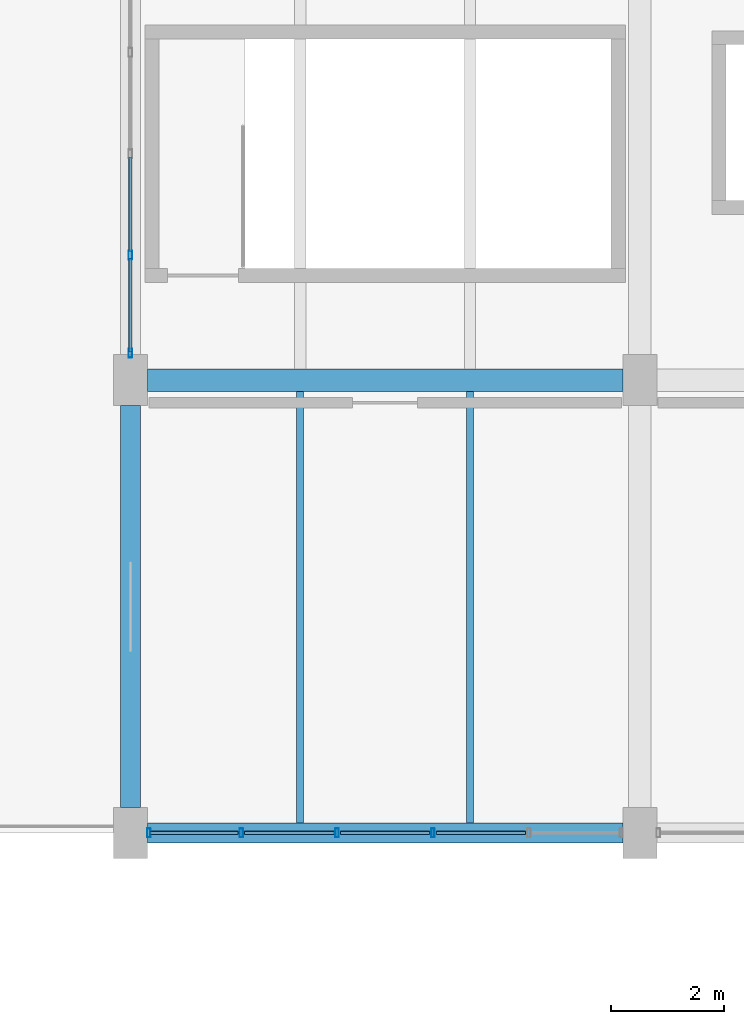
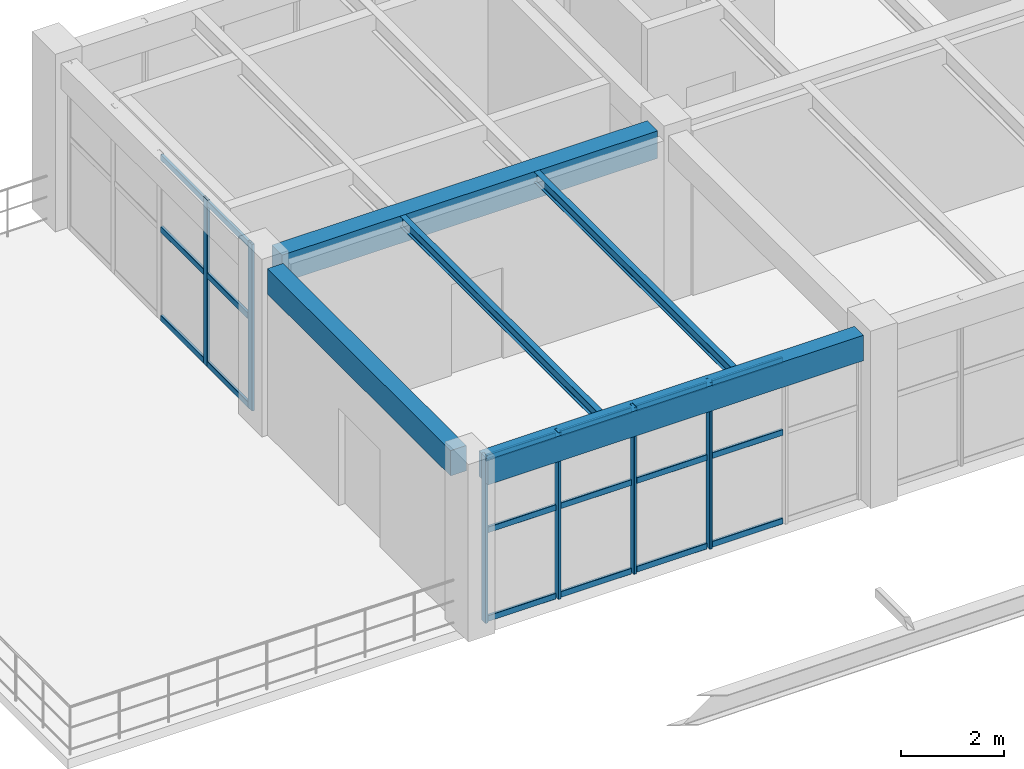
# One storey, part 62 of 148: 24 members, 5 beams, 2 elements without a shape of their own.
"""IFC4 building model written with IfcOpenShell, lengths in metres."""

from ifc_helpers import new_model, si_unit, derived_unit, direction, frame, origin, origin_2d, place, context, subcontext, project, spatial, rectangle, hollow_rectangle, i_section, extrude, material, material_profile, profile_set, type_object, element, aggregate, save


model = new_model("IFC4")

# Units and contexts
model_context = context("Model", 3, precision=1e-05, world=origin(), true_north=direction((0.0, 1.0)))
body_context = subcontext(model_context, "Body", "Model", "MODEL_VIEW")
ifc_project = project(units=[si_unit("LENGTHUNIT", "METRE"), si_unit("AREAUNIT", "SQUARE_METRE"), si_unit("VOLUMEUNIT", "CUBIC_METRE"), si_unit("PLANEANGLEUNIT", "RADIAN"), si_unit("MASSUNIT", "GRAM", prefix="KILO"), derived_unit("THERMALTRANSMITTANCEUNIT", [(si_unit("MASSUNIT", "GRAM", prefix="KILO"), 1), (si_unit("TIMEUNIT", "SECOND"), -3), (si_unit("THERMODYNAMICTEMPERATUREUNIT", "KELVIN"), -1)])], contexts=[model_context])

# Site, building, storey
site_placement = place(None, origin())
site = spatial("IfcSite", under=ifc_project, at=site_placement, CompositionType="ELEMENT")
building_placement = place(site_placement, origin())
building = spatial("IfcBuilding", under=site, at=building_placement, Name="Zhenchuan Archway Interchange", CompositionType="ELEMENT")
storey_placement = place(building_placement, frame((0.0, 0.0, 10.199951171875)))
storey = spatial("IfcBuildingStorey", under=building, at=storey_placement, Name="L02", CompositionType="ELEMENT", Elevation=10.199951171875)

# Beam
ifc_material_1 = material(Name="Concrete C40", Category="concrete")
ifc_material_profile_1 = material_profile(ifc_material_1, rectangle(XDim=0.39990234375, YDim=0.64990234375, at=origin_2d()), Name="RC 400x650")
ifc_profile_set_1 = profile_set([ifc_material_profile_1], Name="Concrete C40")
beam_type_1 = type_object("IfcBeamType", Name="BM_RC_400x650", PredefinedType="BEAM", material=ifc_profile_set_1)
beam_1_placement = place(storey_placement, frame((9.300048828125, 104.0, 3.614990234375), z_axis=(1.0, 0.0, 0.0), x_axis=(0.0, 1.0, 0.0)))
element("IfcBeam", 1, at=beam_1_placement, inside=storey, type_object=beam_type_1, Name="Beam O:2-3 (L02)", PredefinedType="BEAM", context=body_context, shape_type="SweptSolid", body=[
    extrude(rectangle(XDim=0.39990234375, YDim=0.64990234375, at=origin_2d()), origin(), (0.0, 0.0, 1.0), 8.39990234375),
])

# Curtain wall, members
ifc_material_2 = material(Name="Anodised Aluminium", Category="aluminium")
curtain_wall_type_1 = type_object("IfcCurtainWallType", Name="CW_UNIT_2", PredefinedType="NOTDEFINED", material=ifc_material_2)
curtain_wall_1_placement = place(storey_placement, origin())
curtain_wall_1 = element("IfcCurtainWall", 2, at=curtain_wall_1_placement, inside=storey, type_object=curtain_wall_type_1, Name="Unitised curtain wall CW:L02:137", PredefinedType="NOTDEFINED")
ifc_material_profile_2 = material_profile(ifc_material_2, hollow_rectangle(XDim=0.06005859375, YDim=0.159912109375, WallThickness=0.00390625, InnerFilletRadius=0.00390625, OuterFilletRadius=0.008056640625, at=origin_2d()), Name="ALU 160x60x4")
ifc_profile_set_2 = profile_set([ifc_material_profile_2], Name="Anodised Aluminium")
member_type_1 = type_object("IfcMemberType", Name="CW_MUL_150", PredefinedType="MULLION", material=ifc_profile_set_2)
member_1_placement = place(storey_placement, frame((14.346435546875, 96.0, 0.0), z_axis=(0.0, 0.0, 1.0), x_axis=(1.0, 0.0, 0.0)))
member_1 = element("IfcMember", 3, at=member_1_placement, type_object=member_type_1, Name="CW:L02:137 mullion 2", PredefinedType="MULLION", context=body_context, shape_type="SweptSolid", body=[
    extrude(hollow_rectangle(XDim=0.06005859375, YDim=0.159912109375, WallThickness=0.00390625, InnerFilletRadius=0.00390625, OuterFilletRadius=0.008056640625, at=origin_2d()), origin(), (0.0, 0.0, 1.0), 3.93994140625),
])
member_2_placement = place(storey_placement, frame((12.653564453125, 96.0, 0.0), z_axis=(0.0, 0.0, 1.0), x_axis=(1.0, 0.0, 0.0)))
member_2 = element("IfcMember", 4, at=member_2_placement, type_object=member_type_1, Name="CW:L02:137 mullion 3", PredefinedType="MULLION", context=body_context, shape_type="SweptSolid", body=[
    extrude(hollow_rectangle(XDim=0.06005859375, YDim=0.159912109375, WallThickness=0.00390625, InnerFilletRadius=0.00390625, OuterFilletRadius=0.008056640625, at=origin_2d()), origin(), (0.0, 0.0, 1.0), 3.93994140625),
])
member_3_placement = place(storey_placement, frame((10.960693359375, 96.0, 0.0), z_axis=(0.0, 0.0, 1.0), x_axis=(1.0, 0.0, 0.0)))
member_3 = element("IfcMember", 5, at=member_3_placement, type_object=member_type_1, Name="CW:L02:137 mullion 4", PredefinedType="MULLION", context=body_context, shape_type="SweptSolid", body=[
    extrude(hollow_rectangle(XDim=0.06005859375, YDim=0.159912109375, WallThickness=0.00390625, InnerFilletRadius=0.00390625, OuterFilletRadius=0.008056640625, at=origin_2d()), origin(), (0.0, 0.0, 1.0), 3.93994140625),
])
member_4_placement = place(storey_placement, frame((9.327880859375, 96.0, 0.0), z_axis=(0.0, 0.0, 1.0), x_axis=(1.0, 0.0, 0.0)))
member_4 = element("IfcMember", 6, at=member_4_placement, type_object=member_type_1, Name="CW:L02:137 mullion 5", PredefinedType="MULLION", context=body_context, shape_type="SweptSolid", body=[
    extrude(hollow_rectangle(XDim=0.06005859375, YDim=0.159912109375, WallThickness=0.00390625, InnerFilletRadius=0.00390625, OuterFilletRadius=0.008056640625, at=origin_2d()), origin(), (0.0, 0.0, 1.0), 3.93994140625),
])

curtain_wall_type_2 = type_object("IfcCurtainWallType", Name="CW_UNIT_3", PredefinedType="NOTDEFINED", material=ifc_material_2)
curtain_wall_2_placement = place(storey_placement, origin())
curtain_wall_2 = element("IfcCurtainWall", 7, at=curtain_wall_2_placement, inside=storey, type_object=curtain_wall_type_2, Name="Unitised curtain wall CW:L02:138", PredefinedType="NOTDEFINED")
member_5_placement = place(storey_placement, frame((9.0, 104.47802734375, 0.0), z_axis=(0.0, 0.0, 1.0), x_axis=(1.0, 0.0, 0.0)))
member_5 = element("IfcMember", 8, at=member_5_placement, type_object=member_type_1, Name="CW:L02:138 mullion 0", PredefinedType="MULLION", context=body_context, shape_type="SweptSolid", body=[
    extrude(hollow_rectangle(XDim=0.06005859375, YDim=0.159912109375, WallThickness=0.00390625, InnerFilletRadius=0.00390625, OuterFilletRadius=0.008056640625, at=origin_2d()), origin(), (0.0, 0.0, 1.0), 3.93994140625),
])
member_6_placement = place(storey_placement, frame((9.0, 106.208984375, 0.0), z_axis=(0.0, 0.0, 1.0), x_axis=(1.0, 0.0, 0.0)))
member_6 = element("IfcMember", 9, at=member_6_placement, type_object=member_type_1, Name="CW:L02:138 mullion 1", PredefinedType="MULLION", context=body_context, shape_type="SweptSolid", body=[
    extrude(hollow_rectangle(XDim=0.06005859375, YDim=0.159912109375, WallThickness=0.00390625, InnerFilletRadius=0.00390625, OuterFilletRadius=0.008056640625, at=origin_2d()), origin(), (0.0, 0.0, 1.0), 3.93994140625),
])

# Member
ifc_material_profile_3 = material_profile(ifc_material_2, hollow_rectangle(XDim=0.06005859375, YDim=0.139892578125, WallThickness=0.00341796875, InnerFilletRadius=0.00341796875, OuterFilletRadius=0.007080078125, at=origin_2d()), Name="ALU 140x60x3.5")
ifc_profile_set_3 = profile_set([ifc_material_profile_3], Name="Anodised Aluminium")
member_type_2 = type_object("IfcMemberType", Name="CW_TRN_140", PredefinedType="USERDEFINED", material=ifc_profile_set_3)
member_7_placement = place(storey_placement, frame((15.979248046875, 96.0, 0.06005859375), z_axis=(-1.0, 0.0, 0.0), x_axis=(0.0, -1.0, 0.0)))
member_7 = element("IfcMember", 10, at=member_7_placement, type_object=member_type_2, Name="CW:L02:137 transom 1-1", ObjectType="TRANSOM", PredefinedType="USERDEFINED", context=body_context, shape_type="SweptSolid", body=[
    extrude(hollow_rectangle(XDim=0.06005859375, YDim=0.139892578125, WallThickness=0.00341796875, InnerFilletRadius=0.00341796875, OuterFilletRadius=0.007080078125, at=origin_2d()), origin(), (0.0, 0.0, 1.0), 1.57275390625),
])

member_8_placement = place(storey_placement, frame((15.979248046875, 96.0, 2.156005859375), z_axis=(-1.0, 0.0, 0.0), x_axis=(0.0, -1.0, 0.0)))
member_8 = element("IfcMember", 11, at=member_8_placement, type_object=member_type_2, Name="CW:L02:137 transom 1-2", ObjectType="TRANSOM", PredefinedType="USERDEFINED", context=body_context, shape_type="SweptSolid", body=[
    extrude(hollow_rectangle(XDim=0.06005859375, YDim=0.139892578125, WallThickness=0.00341796875, InnerFilletRadius=0.00341796875, OuterFilletRadius=0.007080078125, at=origin_2d()), origin(), (0.0, 0.0, 1.0), 1.57275390625),
])

member_9_placement = place(storey_placement, frame((15.979248046875, 96.0, 3.860107421875), z_axis=(-1.0, 0.0, 0.0), x_axis=(0.0, -1.0, 0.0)))
member_9 = element("IfcMember", 12, at=member_9_placement, type_object=member_type_2, Name="CW:L02:137 transom 1-3", ObjectType="TRANSOM", PredefinedType="USERDEFINED", context=body_context, shape_type="SweptSolid", body=[
    extrude(hollow_rectangle(XDim=0.06005859375, YDim=0.139892578125, WallThickness=0.00341796875, InnerFilletRadius=0.00341796875, OuterFilletRadius=0.007080078125, at=origin_2d()), origin(), (0.0, 0.0, 1.0), 1.57275390625),
])

member_10_placement = place(storey_placement, frame((14.286376953125, 96.0, 0.06005859375), z_axis=(-1.0, 0.0, 0.0), x_axis=(0.0, -1.0, 0.0)))
member_10 = element("IfcMember", 13, at=member_10_placement, type_object=member_type_2, Name="CW:L02:137 transom 2-1", ObjectType="TRANSOM", PredefinedType="USERDEFINED", context=body_context, shape_type="SweptSolid", body=[
    extrude(hollow_rectangle(XDim=0.06005859375, YDim=0.139892578125, WallThickness=0.00341796875, InnerFilletRadius=0.00341796875, OuterFilletRadius=0.007080078125, at=origin_2d()), origin(), (0.0, 0.0, 1.0), 1.57275390625),
])

member_11_placement = place(storey_placement, frame((14.286376953125, 96.0, 2.156005859375), z_axis=(-1.0, 0.0, 0.0), x_axis=(0.0, -1.0, 0.0)))
member_11 = element("IfcMember", 14, at=member_11_placement, type_object=member_type_2, Name="CW:L02:137 transom 2-2", ObjectType="TRANSOM", PredefinedType="USERDEFINED", context=body_context, shape_type="SweptSolid", body=[
    extrude(hollow_rectangle(XDim=0.06005859375, YDim=0.139892578125, WallThickness=0.00341796875, InnerFilletRadius=0.00341796875, OuterFilletRadius=0.007080078125, at=origin_2d()), origin(), (0.0, 0.0, 1.0), 1.57275390625),
])

member_12_placement = place(storey_placement, frame((14.286376953125, 96.0, 3.860107421875), z_axis=(-1.0, 0.0, 0.0), x_axis=(0.0, -1.0, 0.0)))
member_12 = element("IfcMember", 15, at=member_12_placement, type_object=member_type_2, Name="CW:L02:137 transom 2-3", ObjectType="TRANSOM", PredefinedType="USERDEFINED", context=body_context, shape_type="SweptSolid", body=[
    extrude(hollow_rectangle(XDim=0.06005859375, YDim=0.139892578125, WallThickness=0.00341796875, InnerFilletRadius=0.00341796875, OuterFilletRadius=0.007080078125, at=origin_2d()), origin(), (0.0, 0.0, 1.0), 1.57275390625),
])

member_13_placement = place(storey_placement, frame((12.593505859375, 96.0, 0.06005859375), z_axis=(-1.0, 0.0, 0.0), x_axis=(0.0, -1.0, 0.0)))
member_13 = element("IfcMember", 16, at=member_13_placement, type_object=member_type_2, Name="CW:L02:137 transom 3-1", ObjectType="TRANSOM", PredefinedType="USERDEFINED", context=body_context, shape_type="SweptSolid", body=[
    extrude(hollow_rectangle(XDim=0.06005859375, YDim=0.139892578125, WallThickness=0.00341796875, InnerFilletRadius=0.00341796875, OuterFilletRadius=0.007080078125, at=origin_2d()), origin(), (0.0, 0.0, 1.0), 1.57275390625),
])

member_14_placement = place(storey_placement, frame((12.593505859375, 96.0, 2.156005859375), z_axis=(-1.0, 0.0, 0.0), x_axis=(0.0, -1.0, 0.0)))
member_14 = element("IfcMember", 17, at=member_14_placement, type_object=member_type_2, Name="CW:L02:137 transom 3-2", ObjectType="TRANSOM", PredefinedType="USERDEFINED", context=body_context, shape_type="SweptSolid", body=[
    extrude(hollow_rectangle(XDim=0.06005859375, YDim=0.139892578125, WallThickness=0.00341796875, InnerFilletRadius=0.00341796875, OuterFilletRadius=0.007080078125, at=origin_2d()), origin(), (0.0, 0.0, 1.0), 1.57275390625),
])

member_15_placement = place(storey_placement, frame((12.593505859375, 96.0, 3.860107421875), z_axis=(-1.0, 0.0, 0.0), x_axis=(0.0, -1.0, 0.0)))
member_15 = element("IfcMember", 18, at=member_15_placement, type_object=member_type_2, Name="CW:L02:137 transom 3-3", ObjectType="TRANSOM", PredefinedType="USERDEFINED", context=body_context, shape_type="SweptSolid", body=[
    extrude(hollow_rectangle(XDim=0.06005859375, YDim=0.139892578125, WallThickness=0.00341796875, InnerFilletRadius=0.00341796875, OuterFilletRadius=0.007080078125, at=origin_2d()), origin(), (0.0, 0.0, 1.0), 1.57275390625),
])

member_16_placement = place(storey_placement, frame((10.90087890625, 96.0, 0.06005859375), z_axis=(-1.0, 0.0, 0.0), x_axis=(0.0, -1.0, 0.0)))
member_16 = element("IfcMember", 19, at=member_16_placement, type_object=member_type_2, Name="CW:L02:137 transom 4-1", ObjectType="TRANSOM", PredefinedType="USERDEFINED", context=body_context, shape_type="SweptSolid", body=[
    extrude(hollow_rectangle(XDim=0.06005859375, YDim=0.139892578125, WallThickness=0.00341796875, InnerFilletRadius=0.00341796875, OuterFilletRadius=0.007080078125, at=origin_2d()), origin(), (0.0, 0.0, 1.0), 1.552978515625),
])

member_17_placement = place(storey_placement, frame((10.90087890625, 96.0, 2.156005859375), z_axis=(-1.0, 0.0, 0.0), x_axis=(0.0, -1.0, 0.0)))
member_17 = element("IfcMember", 20, at=member_17_placement, type_object=member_type_2, Name="CW:L02:137 transom 4-2", ObjectType="TRANSOM", PredefinedType="USERDEFINED", context=body_context, shape_type="SweptSolid", body=[
    extrude(hollow_rectangle(XDim=0.06005859375, YDim=0.139892578125, WallThickness=0.00341796875, InnerFilletRadius=0.00341796875, OuterFilletRadius=0.007080078125, at=origin_2d()), origin(), (0.0, 0.0, 1.0), 1.552978515625),
])

member_18_placement = place(storey_placement, frame((10.90087890625, 96.0, 3.860107421875), z_axis=(-1.0, 0.0, 0.0), x_axis=(0.0, -1.0, 0.0)))
member_18 = element("IfcMember", 21, at=member_18_placement, type_object=member_type_2, Name="CW:L02:137 transom 4-3", ObjectType="TRANSOM", PredefinedType="USERDEFINED", context=body_context, shape_type="SweptSolid", body=[
    extrude(hollow_rectangle(XDim=0.06005859375, YDim=0.139892578125, WallThickness=0.00341796875, InnerFilletRadius=0.00341796875, OuterFilletRadius=0.007080078125, at=origin_2d()), origin(), (0.0, 0.0, 1.0), 1.552978515625),
])

aggregate(curtain_wall_1, [member_1, member_2, member_3, member_4, member_7, member_8, member_9, member_10, member_11, member_12, member_13, member_14, member_15, member_16, member_17, member_18])

member_19_placement = place(storey_placement, frame((9.0, 104.498046875, 0.06005859375), z_axis=(0.0, 1.0, 0.0), x_axis=(-1.0, 0.0, 0.0)))
member_19 = element("IfcMember", 22, at=member_19_placement, type_object=member_type_2, Name="CW:L02:138 transom 0-1", ObjectType="TRANSOM", PredefinedType="USERDEFINED", context=body_context, shape_type="SweptSolid", body=[
    extrude(hollow_rectangle(XDim=0.06005859375, YDim=0.139892578125, WallThickness=0.00341796875, InnerFilletRadius=0.00341796875, OuterFilletRadius=0.007080078125, at=origin_2d()), origin(), (0.0, 0.0, 1.0), 1.65087890625),
])

member_20_placement = place(storey_placement, frame((9.0, 104.498046875, 2.156005859375), z_axis=(0.0, 1.0, 0.0), x_axis=(-1.0, 0.0, 0.0)))
member_20 = element("IfcMember", 23, at=member_20_placement, type_object=member_type_2, Name="CW:L02:138 transom 0-2", ObjectType="TRANSOM", PredefinedType="USERDEFINED", context=body_context, shape_type="SweptSolid", body=[
    extrude(hollow_rectangle(XDim=0.06005859375, YDim=0.139892578125, WallThickness=0.00341796875, InnerFilletRadius=0.00341796875, OuterFilletRadius=0.007080078125, at=origin_2d()), origin(), (0.0, 0.0, 1.0), 1.65087890625),
])

member_21_placement = place(storey_placement, frame((9.0, 104.498046875, 3.860107421875), z_axis=(0.0, 1.0, 0.0), x_axis=(-1.0, 0.0, 0.0)))
member_21 = element("IfcMember", 24, at=member_21_placement, type_object=member_type_2, Name="CW:L02:138 transom 0-3", ObjectType="TRANSOM", PredefinedType="USERDEFINED", context=body_context, shape_type="SweptSolid", body=[
    extrude(hollow_rectangle(XDim=0.06005859375, YDim=0.139892578125, WallThickness=0.00341796875, InnerFilletRadius=0.00341796875, OuterFilletRadius=0.007080078125, at=origin_2d()), origin(), (0.0, 0.0, 1.0), 1.65087890625),
])

member_22_placement = place(storey_placement, frame((9.0, 106.26904296875, 0.06005859375), z_axis=(0.0, 1.0, 0.0), x_axis=(-1.0, 0.0, 0.0)))
member_22 = element("IfcMember", 25, at=member_22_placement, type_object=member_type_2, Name="CW:L02:138 transom 1-1", ObjectType="TRANSOM", PredefinedType="USERDEFINED", context=body_context, shape_type="SweptSolid", body=[
    extrude(hollow_rectangle(XDim=0.06005859375, YDim=0.139892578125, WallThickness=0.00341796875, InnerFilletRadius=0.00341796875, OuterFilletRadius=0.007080078125, at=origin_2d()), origin(), (0.0, 0.0, 1.0), 1.6708984375),
])

member_23_placement = place(storey_placement, frame((9.0, 106.26904296875, 2.156005859375), z_axis=(0.0, 1.0, 0.0), x_axis=(-1.0, 0.0, 0.0)))
member_23 = element("IfcMember", 26, at=member_23_placement, type_object=member_type_2, Name="CW:L02:138 transom 1-2", ObjectType="TRANSOM", PredefinedType="USERDEFINED", context=body_context, shape_type="SweptSolid", body=[
    extrude(hollow_rectangle(XDim=0.06005859375, YDim=0.139892578125, WallThickness=0.00341796875, InnerFilletRadius=0.00341796875, OuterFilletRadius=0.007080078125, at=origin_2d()), origin(), (0.0, 0.0, 1.0), 1.6708984375),
])

member_24_placement = place(storey_placement, frame((9.0, 106.26904296875, 3.860107421875), z_axis=(0.0, 1.0, 0.0), x_axis=(-1.0, 0.0, 0.0)))
member_24 = element("IfcMember", 27, at=member_24_placement, type_object=member_type_2, Name="CW:L02:138 transom 1-3", ObjectType="TRANSOM", PredefinedType="USERDEFINED", context=body_context, shape_type="SweptSolid", body=[
    extrude(hollow_rectangle(XDim=0.06005859375, YDim=0.139892578125, WallThickness=0.00341796875, InnerFilletRadius=0.00341796875, OuterFilletRadius=0.007080078125, at=origin_2d()), origin(), (0.0, 0.0, 1.0), 1.6708984375),
])

aggregate(curtain_wall_2, [member_5, member_6, member_19, member_20, member_21, member_22, member_23, member_24])

# Beams
ifc_material_3 = material(Name="Steel Q355", Category="steel")
ifc_material_profile_4 = material_profile(ifc_material_3, i_section(OverallWidth=0.125, OverallDepth=0.25, WebThickness=0.006103515625, FlangeThickness=0.009033203125, FilletRadius=0.011962890625, at=origin_2d()), Name="HN 250x125")
ifc_profile_set_4 = profile_set([ifc_material_profile_4], Name="Steel Q355")
beam_type_2 = type_object("IfcBeamType", Name="JST_STL_HN250", PredefinedType="JOIST", material=ifc_profile_set_4)
for number, where, z_axis, x_axis, name in (
    (28, (12.0, 96.175048828125, 3.81494140625), (0.0, 1.0, 0.0), (-1.0, 0.0, 0.0), "Secondary joist 2-3/N-O #1 (L02)"),
    (29, (15.0, 96.175048828125, 3.81494140625), (0.0, 1.0, 0.0), (-1.0, 0.0, 0.0), "Secondary joist 2-3/N-O #2 (L02)"),
):
    element("IfcBeam", number, at=place(storey_placement, frame(where, z_axis=z_axis, x_axis=x_axis)), inside=storey, type_object=beam_type_2, Name=name, PredefinedType="JOIST", context=body_context, shape_type="SweptSolid", body=[
        extrude(i_section(OverallWidth=0.125, OverallDepth=0.25, WebThickness=0.006103515625, FlangeThickness=0.009033203125, FilletRadius=0.011962890625, at=origin_2d()), origin(), (0.0, 0.0, 1.0), 7.625),
    ])
ifc_material_profile_5 = material_profile(ifc_material_1, rectangle(XDim=0.35009765625, YDim=0.60009765625, at=origin_2d()), Name="RC 350x600")
ifc_profile_set_5 = profile_set([ifc_material_profile_5], Name="Concrete C40")
beam_type_3 = type_object("IfcBeamType", Name="SP_RC_350x600", PredefinedType="SPANDREL", material=ifc_profile_set_5)
beam_2_placement = place(storey_placement, frame((9.300048828125, 96.0, 3.64013671875), z_axis=(1.0, 0.0, 0.0), x_axis=(0.0, 1.0, 0.0)))
element("IfcBeam", 30, at=beam_2_placement, inside=storey, type_object=beam_type_3, Name="Beam N:2-3 (L02)", PredefinedType="SPANDREL", context=body_context, shape_type="SweptSolid", body=[
    extrude(rectangle(XDim=0.35009765625, YDim=0.60009765625, at=origin_2d()), origin(), (0.0, 0.0, 1.0), 8.39990234375),
])
beam_3_placement = place(storey_placement, frame((9.0, 96.449951171875, 3.64013671875), z_axis=(0.0, 1.0, 0.0), x_axis=(-1.0, 0.0, 0.0)))
element("IfcBeam", 31, at=beam_3_placement, inside=storey, type_object=beam_type_3, Name="Beam 2:N-O (L02)", PredefinedType="SPANDREL", context=body_context, shape_type="SweptSolid", body=[
    extrude(rectangle(XDim=0.35009765625, YDim=0.60009765625, at=origin_2d()), origin(), (0.0, 0.0, 1.0), 7.10009765625),
])

save(model, "model.ifc")
